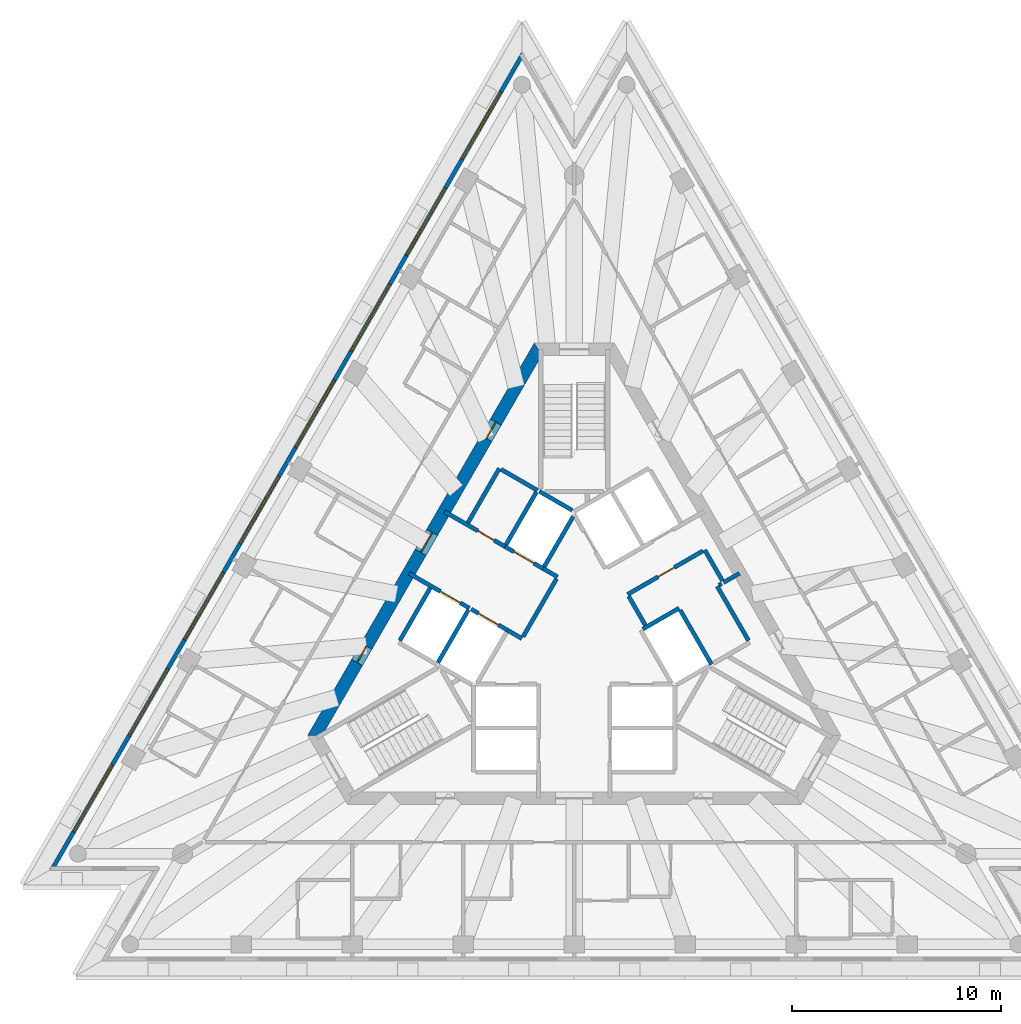
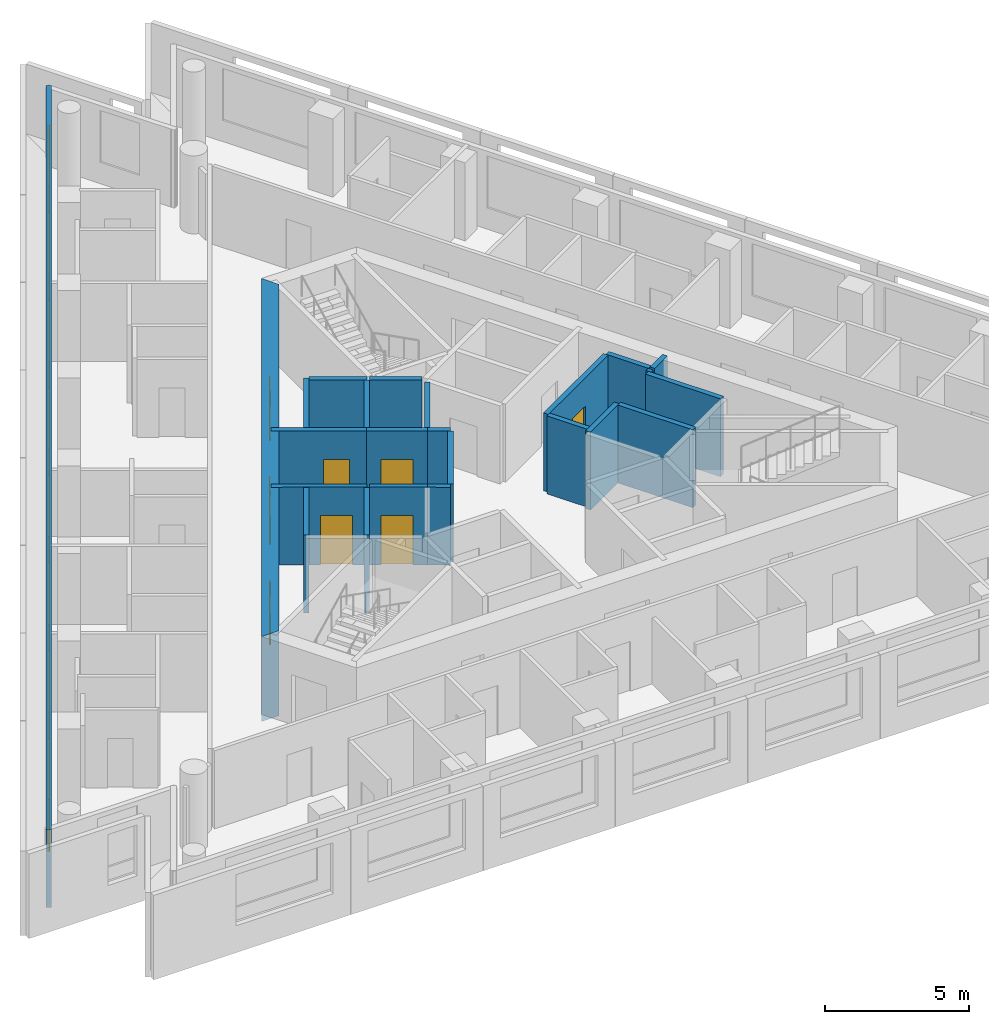
# One storey, part 5 of 11: 24 walls, 8 doors, 8 windows, 16 openings.
"""IFC4 building model written with IfcOpenShell, lengths in metres."""

from ifc_helpers import new_model, si_unit, direction, frame, frame_2d, origin, place, context, subcontext, project, spatial, polyline, rectangle, outline, extrude, material, layer, layer_set, layer_usage, type_object, element, fill, save


model = new_model("IFC4")

# Units and contexts
model_context = context("Model", 3, precision=1e-05, world=origin(), true_north=direction((0.0, 1.0)))
body_context = subcontext(model_context, "Body", "Model", "MODEL_VIEW")
ifc_project = project(units=[si_unit("LENGTHUNIT", "METRE"), si_unit("AREAUNIT", "SQUARE_METRE"), si_unit("VOLUMEUNIT", "CUBIC_METRE"), si_unit("PLANEANGLEUNIT", "RADIAN"), si_unit("MASSUNIT", "GRAM", prefix="KILO")], contexts=[model_context])

# Site, building, storey
site_placement = place(None, origin())
site = spatial("IfcSite", under=ifc_project, at=site_placement, CompositionType="ELEMENT")
building_placement = place(site_placement, origin())
building = spatial("IfcBuilding", under=site, at=building_placement, Name="Triada Interchange Tower", CompositionType="ELEMENT")
storey_placement = place(building_placement, frame((0.0, 0.0, 300.699951171875)))
storey = spatial("IfcBuildingStorey", under=building, at=storey_placement, Name="L71", CompositionType="ELEMENT", Elevation=300.699951171875)

# Walls
ifc_material_1 = material(Name="Concrete C30/37", Category="concrete")
ifc_layer_1 = layer(ifc_material_1, 0.199951171875)
ifc_layer_set_1 = layer_set([ifc_layer_1], Name="CORE WALL 200 EI 120")
wall_type_1 = type_object("IfcWallType", Name="CORE WALL 200 EI 120", PredefinedType="SOLIDWALL", material=ifc_layer_set_1)
wall_1_placement = place(storey_placement, frame((-8.325927734375, -0.6201171875, 0.0), z_axis=(0.0, 0.0, 1.0), x_axis=(0.500023687443, 0.866011727401, 0.0)))
element("IfcWall", 1, at=wall_1_placement, inside=storey, type_object=wall_type_1, Name="Wall L71 70", PredefinedType="SOLIDWALL", context=body_context, shape_type="SweptSolid", body=[
    extrude(rectangle(XDim=2.899658203125, YDim=0.199951171875, at=frame_2d((1.44970703125, 0.0))), origin(), (0.0, 0.0, 1.0), 3.300048828125),
])
wall_2_placement = place(storey_placement, frame((3.278076171875, -0.071044921875, 0.0), z_axis=(0.0, 0.0, 1.0), x_axis=(0.865855657918, 0.500293893279, 0.0)))
element("IfcWall", 2, at=wall_2_placement, inside=storey, type_object=wall_type_1, Name="Wall L71 85", PredefinedType="SOLIDWALL", context=body_context, shape_type="SweptSolid", body=[
    extrude(rectangle(XDim=1.996826171875, YDim=0.199951171875, at=frame_2d((0.99853515625, 0.0))), origin(), (0.0, 0.0, 1.0), 3.300048828125),
])
wall_3_placement = place(storey_placement, frame((7.12890625, 2.153076171875, 0.0), z_axis=(0.0, 0.0, 1.0), x_axis=(0.866083962871, 0.499898558967, 0.0)))
element("IfcWall", 3, at=wall_3_placement, inside=storey, type_object=wall_type_1, Name="Wall L71 86", PredefinedType="SOLIDWALL", context=body_context, shape_type="SweptSolid", body=[
    extrude(rectangle(XDim=0.880126953125, YDim=0.199951171875, at=frame_2d((0.43994140625, 0.0))), origin(), (0.0, 0.0, 1.0), 3.300048828125),
])
wall_4_placement = place(storey_placement, frame((5.056884765625, 0.841064453125, 0.0), z_axis=(0.0, 0.0, 1.0), x_axis=(0.499990139034, -0.866031096941, 0.0)))
element("IfcWall", 4, at=wall_4_placement, inside=storey, type_object=wall_type_1, Name="Wall L71 89", PredefinedType="SOLIDWALL", context=body_context, shape_type="SweptSolid", body=[
    extrude(rectangle(XDim=3.0, YDim=0.199951171875, at=frame_2d((1.5, 0.0))), origin(), (0.0, 0.0, 1.0), 3.300048828125),
])
wall_5_placement = place(storey_placement, frame((6.22900390625, 3.7119140625, 0.0), z_axis=(0.0, 0.0, 1.0), x_axis=(0.499875724984, -0.86609714211, 0.0)))
element("IfcWall", 5, at=wall_5_placement, inside=storey, type_object=wall_type_1, Name="Wall L71 91", PredefinedType="SOLIDWALL", context=body_context, shape_type="SweptSolid", body=[
    extrude(rectangle(XDim=1.70068359375, YDim=0.199951171875, at=frame_2d((0.850341796875, 0.0))), origin(), (0.0, 0.0, 1.0), 3.300048828125),
])

# Wall, opening, door
wall_6_placement = place(storey_placement, frame((2.548095703125, 1.5869140625, 0.0), z_axis=(0.0, 0.0, 1.0), x_axis=(0.866004344652, 0.500036473714, 0.0)))
wall_6 = element("IfcWall", 6, at=wall_6_placement, inside=storey, type_object=wall_type_1, Name="Wall L71 92", PredefinedType="SOLIDWALL", context=body_context, shape_type="SweptSolid", body=[
    extrude(rectangle(XDim=4.150146484375, YDim=0.199951171875, at=frame_2d((2.0751953125, 0.0))), origin(), (0.0, 0.0, 1.0), 3.300048828125),
])
opening_1_placement = place(wall_6_placement, frame((1.675048828125, 0.0, 0.0)))
opening_1 = element("IfcOpeningElement", 7, at=opening_1_placement, cuts=wall_6, Name="Opening D71-60", PredefinedType="OPENING", context=body_context, shape_type="SweptSolid", body=[
    extrude(rectangle(XDim=0.89990234375, YDim=2.10009765625, at=frame_2d((0.449951171875, 1.050048828125))), frame((0.0, 0.10986328125, 0.0), z_axis=(0.0, -1.0, 0.0), x_axis=(1.0, 0.0, 0.0)), (0.0, 0.0, 1.0), 0.219970703125),
])
ifc_material_2 = material(Name="Steel S235 door leaf", Category="steel")
door_type_1 = type_object("IfcDoorType", Name="SERVICE DOOR 900 EI2 45-C5S200", OperationType="NOTDEFINED", PredefinedType="DOOR", material=ifc_material_2)
door_1_placement = place(opening_1_placement, origin())
door_1 = element("IfcDoor", 8, at=door_1_placement, inside=storey, type_object=door_type_1, Name="Door D71-60 L71", OperationType="SINGLE_SWING_RIGHT", OverallHeight=2.10009765625, OverallWidth=0.89990234375, PredefinedType="DOOR", context=body_context, shape_type="SweptSolid", body=[
    extrude(rectangle(XDim=0.89990234375, YDim=2.10009765625, at=frame_2d((0.449951171875, 1.050048828125))), frame((0.0, 0.02490234375, 0.0), z_axis=(0.0, -1.0, 0.0), x_axis=(1.0, 0.0, 0.0)), (0.0, 0.0, 1.0), 0.050048828125),
])
fill(opening_1, door_1)

# Wall
wall_7_placement = place(storey_placement, frame((2.597900390625, 1.5, 0.0), z_axis=(0.0, 0.0, 1.0), x_axis=(0.499929347863, -0.866066190972, 0.0)))
element("IfcWall", 9, at=wall_7_placement, inside=storey, type_object=wall_type_1, Name="Wall L71 93", PredefinedType="SOLIDWALL", context=body_context, shape_type="SweptSolid", body=[
    extrude(rectangle(XDim=1.600341796875, YDim=0.199951171875, at=frame_2d((0.80029296875, 0.0))), origin(), (0.0, 0.0, 1.0), 3.300048828125),
])

# Wall, opening, door
ifc_layer_2 = layer(ifc_material_1, 0.199951171875)
ifc_layer_set_2 = layer_set([ifc_layer_2], Name="CORE WALL 200 EI 180")
wall_type_2 = type_object("IfcWallType", Name="CORE WALL 200 EI 180", PredefinedType="SOLIDWALL", material=ifc_layer_set_2)
wall_8_placement = place(storey_placement, frame((-7.89111328125, 2.593017578125, 0.0), z_axis=(0.0, 0.0, 1.0), x_axis=(0.866070917804, -0.499921159118, 0.0)))
wall_8 = element("IfcWall", 10, at=wall_8_placement, inside=storey, type_object=wall_type_2, Name="Wall L71 94", PredefinedType="SOLIDWALL", context=body_context, shape_type="SweptSolid", body=[
    extrude(rectangle(XDim=3.33251953125, YDim=0.199951171875, at=frame_2d((1.666259765625, 0.0))), origin(), (0.0, 0.0, 1.0), 3.300048828125),
])
opening_2_placement = place(wall_8_placement, frame((1.72998046875, 0.0, 0.0)))
opening_2 = element("IfcOpeningElement", 11, at=opening_2_placement, cuts=wall_8, Name="Opening LD-SV1", PredefinedType="OPENING", context=body_context, shape_type="SweptSolid", body=[
    extrude(rectangle(XDim=1.10009765625, YDim=2.10009765625, at=frame_2d((0.550048828125, 1.050048828125))), frame((0.0, 0.10986328125, 0.0), z_axis=(0.0, -1.0, 0.0), x_axis=(1.0, 0.0, 0.0)), (0.0, 0.0, 1.0), 0.219970703125),
])
door_type_2 = type_object("IfcDoorType", Name="LIFT LANDING DOOR 1100 EI 120", OperationType="SLIDING_TO_LEFT", PredefinedType="DOOR", material=ifc_material_2)
door_2_placement = place(opening_2_placement, origin())
door_2 = element("IfcDoor", 12, at=door_2_placement, inside=storey, type_object=door_type_2, Name="SV1 landing door L71", OperationType="SLIDING_TO_LEFT", OverallHeight=2.10009765625, OverallWidth=1.10009765625, PredefinedType="DOOR", context=body_context, shape_type="SweptSolid", body=[
    extrude(rectangle(XDim=1.10009765625, YDim=2.10009765625, at=frame_2d((0.550048828125, 1.050048828125))), frame((0.0, 0.02490234375, 0.0), z_axis=(0.0, -1.0, 0.0), x_axis=(1.0, 0.0, 0.0)), (0.0, 0.0, 1.0), 0.050048828125),
])
fill(opening_2, door_2)

# Wall
wall_9_placement = place(storey_placement, frame((-3.18798828125, -0.1220703125, 0.0), z_axis=(0.0, 0.0, 1.0), x_axis=(0.865705793592, -0.50055317294, 0.0)))
element("IfcWall", 13, at=wall_9_placement, inside=storey, type_object=wall_type_2, Name="Wall L71 95", PredefinedType="SOLIDWALL", context=body_context, shape_type="SweptSolid", body=[
    extrude(rectangle(XDim=0.796875, YDim=0.199951171875, at=frame_2d((0.3984375, 0.0))), origin(), (0.0, 0.0, 1.0), 3.300048828125),
])

# Wall, opening, door
wall_10_placement = place(storey_placement, frame((-6.19091796875, 5.537109375, 0.0), z_axis=(0.0, 0.0, 1.0), x_axis=(0.866052607023, -0.499952879648, 0.0)))
wall_10 = element("IfcWall", 14, at=wall_10_placement, inside=storey, type_object=wall_type_2, Name="Wall L71 96", PredefinedType="SOLIDWALL", context=body_context, shape_type="SweptSolid", body=[
    extrude(rectangle(XDim=3.332275390625, YDim=0.199951171875, at=frame_2d((1.666015625, 0.0))), origin(), (0.0, 0.0, 1.0), 3.300048828125),
])
opening_3_placement = place(wall_10_placement, frame((1.830078125, 0.0, 0.0)))
opening_3 = element("IfcOpeningElement", 15, at=opening_3_placement, cuts=wall_10, Name="Opening D71-10", PredefinedType="OPENING", context=body_context, shape_type="SweptSolid", body=[
    extrude(rectangle(XDim=0.89990234375, YDim=2.10009765625, at=frame_2d((0.449951171875, 1.050048828125))), frame((0.0, 0.10986328125, 0.0), z_axis=(0.0, -1.0, 0.0), x_axis=(1.0, 0.0, 0.0)), (0.0, 0.0, 1.0), 0.219970703125),
])
door_type_3 = type_object("IfcDoorType", Name="SERVICE DOOR 900 EI2 90-C5S200", OperationType="NOTDEFINED", PredefinedType="DOOR", material=ifc_material_2)
door_3_placement = place(opening_3_placement, origin())
door_3 = element("IfcDoor", 16, at=door_3_placement, inside=storey, type_object=door_type_3, Name="Door D71-10 L71", OperationType="SINGLE_SWING_LEFT", OverallHeight=2.10009765625, OverallWidth=0.89990234375, PredefinedType="DOOR", context=body_context, shape_type="SweptSolid", body=[
    extrude(rectangle(XDim=0.89990234375, YDim=2.10009765625, at=frame_2d((0.449951171875, 1.050048828125))), frame((0.0, 0.02490234375, 0.0), z_axis=(0.0, -1.0, 0.0), x_axis=(1.0, 0.0, 0.0)), (0.0, 0.0, 1.0), 0.050048828125),
])
fill(opening_3, door_3)

# Walls
wall_11_placement = place(storey_placement, frame((-1.488037109375, 2.822021484375, 0.0), z_axis=(0.0, 0.0, 1.0), x_axis=(0.866236612152, -0.499633997809, 0.0)))
element("IfcWall", 17, at=wall_11_placement, inside=storey, type_object=wall_type_2, Name="Wall L71 97", PredefinedType="SOLIDWALL", context=body_context, shape_type="SweptSolid", body=[
    extrude(rectangle(XDim=0.79638671875, YDim=0.199951171875, at=frame_2d((0.398193359375, 0.0))), origin(), (0.0, 0.0, 1.0), 3.300048828125),
])
wall_12_placement = place(storey_placement, frame((-5.075927734375, 5.009033203125, 0.0), z_axis=(0.0, 0.0, 1.0), x_axis=(0.50002537861, 0.866010750942, 0.0)))
element("IfcWall", 18, at=wall_12_placement, inside=storey, type_object=wall_type_2, Name="Wall L71 98", PredefinedType="SOLIDWALL", context=body_context, shape_type="SweptSolid", body=[
    extrude(rectangle(XDim=2.999755859375, YDim=0.199951171875, at=frame_2d((1.5, 0.0))), origin(), (0.0, 0.0, 1.0), 3.300048828125),
])
wall_13_placement = place(storey_placement, frame((-3.489013671875, 7.556884765625, 0.0), z_axis=(0.0, 0.0, 1.0), x_axis=(0.866010750942, -0.50002537861, 0.0)))
element("IfcWall", 19, at=wall_13_placement, inside=storey, type_object=wall_type_2, Name="Wall L71 99", PredefinedType="SOLIDWALL", context=body_context, shape_type="SweptSolid", body=[
    extrude(rectangle(XDim=2.0, YDim=0.199951171875, at=frame_2d((1.0, 0.0))), origin(), (0.0, 0.0, 1.0), 3.300048828125),
])
wall_14_placement = place(storey_placement, frame((-2.444091796875, -0.43310546875, 0.0), z_axis=(0.0, 0.0, 1.0), x_axis=(0.500035624827, 0.866004834804, 0.0)))
element("IfcWall", 20, at=wall_14_placement, inside=storey, type_object=wall_type_2, Name="Wall L71 100", PredefinedType="SOLIDWALL", context=body_context, shape_type="SweptSolid", body=[
    extrude(rectangle(XDim=3.194091796875, YDim=0.199951171875, at=frame_2d((1.59716796875, 0.0))), origin(), (0.0, 0.0, 1.0), 3.300048828125),
])
wall_15_placement = place(storey_placement, frame((-6.507080078125, -1.669921875, 0.0), z_axis=(0.0, 0.0, 1.0), x_axis=(0.50012328804, 0.865954211699, 0.0)))
element("IfcWall", 21, at=wall_15_placement, inside=storey, type_object=wall_type_2, Name="Shaft wall FF1 L71 101", PredefinedType="SOLIDWALL", context=body_context, shape_type="SweptSolid", body=[
    extrude(rectangle(XDim=2.899658203125, YDim=0.199951171875, at=frame_2d((1.44970703125, 0.0))), origin(), (0.0, 0.0, 1.0), 3.300048828125),
])

# Wall, opening, door
wall_16_placement = place(storey_placement, frame((-4.922119140625, 0.87890625, 0.0), z_axis=(0.0, 0.0, 1.0), x_axis=(0.866073918653, -0.499915960366, 0.0)))
wall_16 = element("IfcWall", 22, at=wall_16_placement, inside=storey, type_object=wall_type_2, Name="Shaft wall FF1 L71 103", PredefinedType="SOLIDWALL", context=body_context, shape_type="SweptSolid", body=[
    extrude(rectangle(XDim=2.002197265625, YDim=0.199951171875, at=frame_2d((1.0009765625, 0.0))), origin(), (0.0, 0.0, 1.0), 3.300048828125),
])
opening_4_placement = place(wall_16_placement, frame((0.402099609375, 0.0, 0.0)))
opening_4 = element("IfcOpeningElement", 23, at=opening_4_placement, cuts=wall_16, Name="Opening LD-FF1", PredefinedType="OPENING", context=body_context, shape_type="SweptSolid", body=[
    extrude(rectangle(XDim=1.10009765625, YDim=2.10009765625, at=frame_2d((0.550048828125, 1.050048828125))), frame((0.0, 0.10986328125, 0.0), z_axis=(0.0, -1.0, 0.0), x_axis=(1.0, 0.0, 0.0)), (0.0, 0.0, 1.0), 0.219970703125),
])
door_4_placement = place(opening_4_placement, origin())
door_4 = element("IfcDoor", 24, at=door_4_placement, inside=storey, type_object=door_type_2, Name="FF1 landing door L71", OperationType="SLIDING_TO_LEFT", OverallHeight=2.10009765625, OverallWidth=1.10009765625, PredefinedType="DOOR", context=body_context, shape_type="SweptSolid", body=[
    extrude(rectangle(XDim=1.10009765625, YDim=2.10009765625, at=frame_2d((0.550048828125, 1.050048828125))), frame((0.0, 0.02490234375, 0.0), z_axis=(0.0, -1.0, 0.0), x_axis=(1.0, 0.0, 0.0)), (0.0, 0.0, 1.0), 0.050048828125),
])
fill(opening_4, door_4)

wall_17_placement = place(storey_placement, frame((-3.30908203125, 3.873046875, 0.0), z_axis=(0.0, 0.0, 1.0), x_axis=(0.866098583652, -0.499873227325, 0.0)))
wall_17 = element("IfcWall", 25, at=wall_17_placement, inside=storey, type_object=wall_type_2, Name="Shaft wall FF2 L71 105", PredefinedType="SOLIDWALL", context=body_context, shape_type="SweptSolid", body=[
    extrude(rectangle(XDim=2.1025390625, YDim=0.199951171875, at=frame_2d((1.05126953125, 0.0))), origin(), (0.0, 0.0, 1.0), 3.300048828125),
])
opening_5_placement = place(wall_17_placement, frame((0.501953125, 0.0, 0.0)))
opening_5 = element("IfcOpeningElement", 26, at=opening_5_placement, cuts=wall_17, Name="Opening LD-FF2", PredefinedType="OPENING", context=body_context, shape_type="SweptSolid", body=[
    extrude(rectangle(XDim=1.10009765625, YDim=2.10009765625, at=frame_2d((0.550048828125, 1.050048828125))), frame((0.0, 0.10986328125, 0.0), z_axis=(0.0, -1.0, 0.0), x_axis=(1.0, 0.0, 0.0)), (0.0, 0.0, 1.0), 0.219970703125),
])
door_5_placement = place(opening_5_placement, origin())
door_5 = element("IfcDoor", 27, at=door_5_placement, inside=storey, type_object=door_type_2, Name="FF2 landing door L71", OperationType="SLIDING_TO_LEFT", OverallHeight=2.10009765625, OverallWidth=1.10009765625, PredefinedType="DOOR", context=body_context, shape_type="SweptSolid", body=[
    extrude(rectangle(XDim=1.10009765625, YDim=2.10009765625, at=frame_2d((0.550048828125, 1.050048828125))), frame((0.0, 0.02490234375, 0.0), z_axis=(0.0, -1.0, 0.0), x_axis=(1.0, 0.0, 0.0)), (0.0, 0.0, 1.0), 0.050048828125),
])
fill(opening_5, door_5)

# Walls
wall_18_placement = place(storey_placement, frame((-3.257080078125, 3.958984375, 0.0), z_axis=(0.0, 0.0, 1.0), x_axis=(0.50012328804, 0.865954211699, 0.0)))
element("IfcWall", 28, at=wall_18_placement, inside=storey, type_object=wall_type_2, Name="Shaft wall FF2 L71 106", PredefinedType="SOLIDWALL", context=body_context, shape_type="SweptSolid", body=[
    extrude(rectangle(XDim=2.899658203125, YDim=0.199951171875, at=frame_2d((1.44970703125, 0.0))), origin(), (0.0, 0.0, 1.0), 3.300048828125),
])
wall_19_placement = place(storey_placement, frame((-1.669921875, 6.507080078125, 0.0), z_axis=(0.0, 0.0, 1.0), x_axis=(0.865941441609, -0.500145398563, 0.0)))
element("IfcWall", 29, at=wall_19_placement, inside=storey, type_object=wall_type_2, Name="Shaft wall FF2 L71 107", PredefinedType="SOLIDWALL", context=body_context, shape_type="SweptSolid", body=[
    extrude(rectangle(XDim=1.8154296875, YDim=0.199951171875, at=frame_2d((0.90771484375, 0.0))), origin(), (0.0, 0.0, 1.0), 3.300048828125),
])
wall_20_placement = place(storey_placement, frame((-1.43798828125, 2.908935546875, 0.0), z_axis=(0.0, 0.0, 1.0), x_axis=(0.499829630636, 0.866123744241, 0.0)))
element("IfcWall", 30, at=wall_20_placement, inside=storey, type_object=wall_type_2, Name="Shaft wall FF2 L71 108", PredefinedType="SOLIDWALL", context=body_context, shape_type="SweptSolid", body=[
    extrude(rectangle(XDim=2.7607421875, YDim=0.199951171875, at=frame_2d((1.38037109375, 0.0))), origin(), (0.0, 0.0, 1.0), 3.300048828125),
])
ifc_layer_3 = layer(ifc_material_1, 0.199951171875)
ifc_layer_set_3 = layer_set([ifc_layer_3], Name="CORE WALL 200 EI 90")
wall_type_3 = type_object("IfcWallType", Name="CORE WALL 200 EI 90", PredefinedType="SOLIDWALL", material=ifc_layer_set_3)
wall_21_placement = place(storey_placement, frame((6.825927734375, 1.97802734375, 0.0), z_axis=(0.0, 0.0, 1.0), x_axis=(0.499990139034, -0.866031096941, 0.0)))
element("IfcWall", 31, at=wall_21_placement, inside=storey, type_object=wall_type_3, Name="Wall L71 112", PredefinedType="SOLIDWALL", context=body_context, shape_type="SweptSolid", body=[
    extrude(rectangle(XDim=3.0, YDim=0.199951171875, at=frame_2d((1.5, 0.0))), origin(), (0.0, 0.0, 1.0), 3.300048828125),
])
wall_22_placement = place(storey_placement, frame((6.912109375, 2.028076171875, 0.0), z_axis=(0.0, 0.0, 1.0), x_axis=(0.866559367082, 0.499074005857, 0.0)))
element("IfcWall", 32, at=wall_22_placement, inside=storey, type_object=wall_type_3, Name="Wall L71 113", PredefinedType="SOLIDWALL", context=body_context, shape_type="SweptSolid", body=[
    extrude(rectangle(XDim=0.152099609375, YDim=0.199951171875, at=frame_2d((0.076171875, 0.0))), origin(), (0.0, 0.0, 1.0), 3.300048828125),
])

# Wall, openings, doors
ifc_material_3 = material(Name="Concrete C40/50", Category="concrete")
ifc_layer_4 = layer(ifc_material_3, 0.60009765625)
ifc_layer_set_4 = layer_set([ifc_layer_4], Name="Core wall D 600")
wall_type_4 = type_object("IfcWallType", Name="Core wall D 600", PredefinedType="SHEAR", material=ifc_layer_set_4)
wall_23_placement = place(storey_placement, frame((-1.73193359375, 13.300048828125, -0.300048828125), z_axis=(0.0, 0.0, 1.0), x_axis=(-0.500000539815, -0.866025092122, 0.0)))
wall_23 = element("IfcWall", 33, at=wall_23_placement, inside=storey, type_object=wall_type_4, Name="Core wall WD02 L71", PredefinedType="SHEAR", context=body_context, shape_type="SweptSolid", body=[
    extrude(outline(polyline([(-0.173095703125, -0.300048828125), (1.795166015625, -0.300048828125), (3.763427734375, -0.30029296875), (5.731689453125, -0.30029296875), (7.699951171875, -0.30029296875), (9.668212890625, -0.300537109375), (11.63671875, -0.300537109375), (13.60498046875, -0.30078125), (15.5732421875, -0.30078125), (17.54150390625, -0.30078125), (19.509765625, -0.301025390625), (21.47802734375, -0.301025390625), (21.131103515625, 0.300048828125), (19.225830078125, 0.300048828125), (17.320556640625, 0.300048828125), (15.415283203125, 0.300048828125), (13.510009765625, 0.300048828125), (11.604736328125, 0.300048828125), (9.699462890625, 0.300048828125), (7.794189453125, 0.300048828125), (5.888916015625, 0.300048828125), (3.983642578125, 0.300048828125), (2.078369140625, 0.300048828125), (0.173095703125, 0.300048828125), (-0.173095703125, -0.300048828125)])), origin(), (0.0, 0.0, 1.0), 3.60009765625),
])
opening_6_placement = place(wall_23_placement, frame((10.10205078125, 0.0, 0.300048828125)))
opening_6 = element("IfcOpeningElement", 34, at=opening_6_placement, cuts=wall_23, Name="Opening D71-53", PredefinedType="OPENING", context=body_context, shape_type="SweptSolid", body=[
    extrude(rectangle(XDim=1.10009765625, YDim=2.10009765625, at=frame_2d((0.550048828125, 1.050048828125))), frame((0.0, 0.31005859375, 0.0), z_axis=(0.0, -1.0, 0.0), x_axis=(1.0, 0.0, 0.0)), (0.0, 0.0, 1.0), 0.62109375),
])
opening_7_placement = place(wall_23_placement, frame((16.3779296875, 0.0, 0.300048828125)))
opening_7 = element("IfcOpeningElement", 35, at=opening_7_placement, cuts=wall_23, Name="Opening D71-54", PredefinedType="OPENING", context=body_context, shape_type="SweptSolid", body=[
    extrude(rectangle(XDim=0.89990234375, YDim=2.10009765625, at=frame_2d((0.449951171875, 1.050048828125))), frame((0.0, 0.31005859375, 0.0), z_axis=(0.0, -1.0, 0.0), x_axis=(1.0, 0.0, 0.0)), (0.0, 0.0, 1.0), 0.62109375),
])
opening_8_placement = place(wall_23_placement, frame((4.02587890625, 0.0, 0.300048828125)))
opening_8 = element("IfcOpeningElement", 36, at=opening_8_placement, cuts=wall_23, Name="Opening D71-56", PredefinedType="OPENING", context=body_context, shape_type="SweptSolid", body=[
    extrude(rectangle(XDim=0.89990234375, YDim=2.10009765625, at=frame_2d((0.449951171875, 1.050048828125))), frame((0.0, 0.31005859375, 0.0), z_axis=(0.0, -1.0, 0.0), x_axis=(1.0, 0.0, 0.0)), (0.0, 0.0, 1.0), 0.62109375),
])
door_type_4 = type_object("IfcDoorType", Name="FIRE LOBBY DOOR 1100 EI2 90-C5S200", OperationType="NOTDEFINED", PredefinedType="DOOR", material=ifc_material_2)
door_6_placement = place(opening_6_placement, origin())
door_6 = element("IfcDoor", 37, at=door_6_placement, inside=storey, type_object=door_type_4, Name="Door D71-53 L71", OperationType="SINGLE_SWING_RIGHT", OverallHeight=2.10009765625, OverallWidth=1.10009765625, PredefinedType="DOOR", context=body_context, shape_type="SweptSolid", body=[
    extrude(rectangle(XDim=1.10009765625, YDim=2.10009765625, at=frame_2d((0.550048828125, 1.050048828125))), frame((0.0, 0.02490234375, 0.0), z_axis=(0.0, -1.0, 0.0), x_axis=(1.0, 0.0, 0.0)), (0.0, 0.0, 1.0), 0.050048828125),
])
fill(opening_6, door_6)
door_type_5 = type_object("IfcDoorType", Name="RISER ACCESS DOOR 900 EI2 45-C5S200", OperationType="NOTDEFINED", PredefinedType="DOOR", material=ifc_material_2)
door_7_placement = place(opening_7_placement, origin())
door_7 = element("IfcDoor", 38, at=door_7_placement, inside=storey, type_object=door_type_5, Name="Door D71-54 L71", OperationType="SINGLE_SWING_RIGHT", OverallHeight=2.10009765625, OverallWidth=0.89990234375, PredefinedType="DOOR", context=body_context, shape_type="SweptSolid", body=[
    extrude(rectangle(XDim=0.89990234375, YDim=2.10009765625, at=frame_2d((0.449951171875, 1.050048828125))), frame((0.0, 0.02490234375, 0.0), z_axis=(0.0, -1.0, 0.0), x_axis=(1.0, 0.0, 0.0)), (0.0, 0.0, 1.0), 0.050048828125),
])
fill(opening_7, door_7)
door_8_placement = place(opening_8_placement, origin())
door_8 = element("IfcDoor", 39, at=door_8_placement, inside=storey, type_object=door_type_1, Name="Door D71-56 L71", OperationType="SINGLE_SWING_LEFT", OverallHeight=2.10009765625, OverallWidth=0.89990234375, PredefinedType="DOOR", context=body_context, shape_type="SweptSolid", body=[
    extrude(rectangle(XDim=0.89990234375, YDim=2.10009765625, at=frame_2d((0.449951171875, 1.050048828125))), frame((0.0, 0.02490234375, 0.0), z_axis=(0.0, -1.0, 0.0), x_axis=(1.0, 0.0, 0.0)), (0.0, 0.0, 1.0), 0.050048828125),
])
fill(opening_8, door_8)

# Wall, openings, windows
ifc_material_4 = material(Name="Cement board")
ifc_layer_5 = layer(ifc_material_4, 0.02001953125, Name="Cement board cladding")
ifc_material_5 = material(Name="Sheathing board")
ifc_layer_6 = layer(ifc_material_5, 0.014892578125, Name="Sheathing board")
ifc_material_6 = material(Name="Mineral wool")
ifc_layer_7 = layer(ifc_material_6, 0.14990234375, Name="Mineral wool between steel studs")
ifc_material_7 = material(Name="Gypsum board")
ifc_layer_8 = layer(ifc_material_7, 0.014892578125, Name="Plasterboard lining")
ifc_layer_set_5 = layer_set([ifc_layer_5, ifc_layer_6, ifc_layer_7, ifc_layer_8], Name="External wall 200")
ifc_layer_usage = layer_usage(ifc_layer_set_5, "AXIS2", "POSITIVE", -0.10009765625)
wall_type_5 = type_object("IfcWallType", Name="External wall 200", PredefinedType="ELEMENTEDWALL", material=ifc_layer_set_5)
wall_24_placement = place(storey_placement, frame((-2.452880859375, 27.405029296875, 0.0), z_axis=(0.0, 0.0, 1.0), x_axis=(-0.500000041859, -0.866025379617, 0.0)))
wall_24 = element("IfcWall", 40, at=wall_24_placement, inside=storey, type_object=wall_type_5, material=ifc_layer_usage, Name="External wall L71 NW", PredefinedType="ELEMENTEDWALL", context=body_context, shape_type="SweptSolid", body=[
    extrude(rectangle(XDim=44.994140625, YDim=0.199951171875, at=frame_2d((22.4970703125, 0.0))), origin(), (0.0, 0.0, 1.0), 3.300048828125),
])
opening_9_placement = place(wall_24_placement, frame((2.10302734375, 0.0, 0.89990234375)))
opening_9 = element("IfcOpeningElement", 41, at=opening_9_placement, cuts=wall_24, Name="Opening WD01", PredefinedType="OPENING", context=body_context, shape_type="SweptSolid", body=[
    extrude(rectangle(XDim=3.699951171875, YDim=2.199951171875, at=frame_2d((1.85009765625, 1.10009765625))), frame((0.0, 0.10986328125, 0.0), z_axis=(0.0, -1.0, 0.0), x_axis=(1.0, 0.0, 0.0)), (0.0, 0.0, 1.0), 0.219970703125),
])
opening_10_placement = place(wall_24_placement, frame((7.404052734375, 0.0, 0.89990234375)))
opening_10 = element("IfcOpeningElement", 42, at=opening_10_placement, cuts=wall_24, Name="Opening WD02", PredefinedType="OPENING", context=body_context, shape_type="SweptSolid", body=[
    extrude(rectangle(XDim=3.699951171875, YDim=2.199951171875, at=frame_2d((1.85009765625, 1.10009765625))), frame((0.0, 0.10986328125, 0.0), z_axis=(0.0, -1.0, 0.0), x_axis=(1.0, 0.0, 0.0)), (0.0, 0.0, 1.0), 0.219970703125),
])
opening_11_placement = place(wall_24_placement, frame((12.705078125, 0.0, 0.89990234375)))
opening_11 = element("IfcOpeningElement", 43, at=opening_11_placement, cuts=wall_24, Name="Opening WD03", PredefinedType="OPENING", context=body_context, shape_type="SweptSolid", body=[
    extrude(rectangle(XDim=3.699951171875, YDim=2.199951171875, at=frame_2d((1.85009765625, 1.10009765625))), frame((0.0, 0.10986328125, 0.0), z_axis=(0.0, -1.0, 0.0), x_axis=(1.0, 0.0, 0.0)), (0.0, 0.0, 1.0), 0.219970703125),
])
opening_12_placement = place(wall_24_placement, frame((18.006103515625, 0.0, 0.89990234375)))
opening_12 = element("IfcOpeningElement", 44, at=opening_12_placement, cuts=wall_24, Name="Opening WD04", PredefinedType="OPENING", context=body_context, shape_type="SweptSolid", body=[
    extrude(rectangle(XDim=3.699951171875, YDim=2.199951171875, at=frame_2d((1.85009765625, 1.10009765625))), frame((0.0, 0.10986328125, 0.0), z_axis=(0.0, -1.0, 0.0), x_axis=(1.0, 0.0, 0.0)), (0.0, 0.0, 1.0), 0.219970703125),
])
opening_13_placement = place(wall_24_placement, frame((23.306884765625, 0.0, 0.89990234375)))
opening_13 = element("IfcOpeningElement", 45, at=opening_13_placement, cuts=wall_24, Name="Opening WD05", PredefinedType="OPENING", context=body_context, shape_type="SweptSolid", body=[
    extrude(rectangle(XDim=3.699951171875, YDim=2.199951171875, at=frame_2d((1.85009765625, 1.10009765625))), frame((0.0, 0.10986328125, 0.0), z_axis=(0.0, -1.0, 0.0), x_axis=(1.0, 0.0, 0.0)), (0.0, 0.0, 1.0), 0.219970703125),
])
opening_14_placement = place(wall_24_placement, frame((28.60791015625, 0.0, 0.89990234375)))
opening_14 = element("IfcOpeningElement", 46, at=opening_14_placement, cuts=wall_24, Name="Opening WD06", PredefinedType="OPENING", context=body_context, shape_type="SweptSolid", body=[
    extrude(rectangle(XDim=3.699951171875, YDim=2.199951171875, at=frame_2d((1.85009765625, 1.10009765625))), frame((0.0, 0.10986328125, 0.0), z_axis=(0.0, -1.0, 0.0), x_axis=(1.0, 0.0, 0.0)), (0.0, 0.0, 1.0), 0.219970703125),
])
opening_15_placement = place(wall_24_placement, frame((33.908935546875, 0.0, 0.89990234375)))
opening_15 = element("IfcOpeningElement", 47, at=opening_15_placement, cuts=wall_24, Name="Opening WD07", PredefinedType="OPENING", context=body_context, shape_type="SweptSolid", body=[
    extrude(rectangle(XDim=3.699951171875, YDim=2.199951171875, at=frame_2d((1.85009765625, 1.10009765625))), frame((0.0, 0.10986328125, 0.0), z_axis=(0.0, -1.0, 0.0), x_axis=(1.0, 0.0, 0.0)), (0.0, 0.0, 1.0), 0.219970703125),
])
opening_16_placement = place(wall_24_placement, frame((39.2099609375, 0.0, 0.89990234375)))
opening_16 = element("IfcOpeningElement", 48, at=opening_16_placement, cuts=wall_24, Name="Opening WD08", PredefinedType="OPENING", context=body_context, shape_type="SweptSolid", body=[
    extrude(rectangle(XDim=3.699951171875, YDim=2.199951171875, at=frame_2d((1.85009765625, 1.10009765625))), frame((0.0, 0.10986328125, 0.0), z_axis=(0.0, -1.0, 0.0), x_axis=(1.0, 0.0, 0.0)), (0.0, 0.0, 1.0), 0.219970703125),
])
ifc_material_8 = material(Name="Double glazed aluminium window", Category="aluminium")
window_type = type_object("IfcWindowType", Name="Ribbon window D face", PartitioningType="SINGLE_PANEL", PredefinedType="WINDOW", material=ifc_material_8)
window_1_placement = place(opening_9_placement, origin())
window_1 = element("IfcWindow", 49, at=window_1_placement, inside=storey, type_object=window_type, Name="Window L71 NW 1", OverallHeight=2.199951171875, OverallWidth=3.699951171875, PartitioningType="SINGLE_PANEL", PredefinedType="WINDOW", context=body_context, shape_type="SweptSolid", body=[
    extrude(rectangle(XDim=3.699951171875, YDim=2.199951171875, at=frame_2d((1.85009765625, 1.10009765625))), frame((0.0, 0.030029296875, 0.0), z_axis=(0.0, -1.0, 0.0), x_axis=(1.0, 0.0, 0.0)), (0.0, 0.0, 1.0), 0.06005859375),
])
fill(opening_9, window_1)
window_2_placement = place(opening_10_placement, origin())
window_2 = element("IfcWindow", 50, at=window_2_placement, inside=storey, type_object=window_type, Name="Window L71 NW 2", OverallHeight=2.199951171875, OverallWidth=3.699951171875, PartitioningType="SINGLE_PANEL", PredefinedType="WINDOW", context=body_context, shape_type="SweptSolid", body=[
    extrude(rectangle(XDim=3.699951171875, YDim=2.199951171875, at=frame_2d((1.85009765625, 1.10009765625))), frame((0.0, 0.030029296875, 0.0), z_axis=(0.0, -1.0, 0.0), x_axis=(1.0, 0.0, 0.0)), (0.0, 0.0, 1.0), 0.06005859375),
])
fill(opening_10, window_2)
window_3_placement = place(opening_11_placement, origin())
window_3 = element("IfcWindow", 51, at=window_3_placement, inside=storey, type_object=window_type, Name="Window L71 NW 3", OverallHeight=2.199951171875, OverallWidth=3.699951171875, PartitioningType="SINGLE_PANEL", PredefinedType="WINDOW", context=body_context, shape_type="SweptSolid", body=[
    extrude(rectangle(XDim=3.699951171875, YDim=2.199951171875, at=frame_2d((1.85009765625, 1.10009765625))), frame((0.0, 0.030029296875, 0.0), z_axis=(0.0, -1.0, 0.0), x_axis=(1.0, 0.0, 0.0)), (0.0, 0.0, 1.0), 0.06005859375),
])
fill(opening_11, window_3)
window_4_placement = place(opening_12_placement, origin())
window_4 = element("IfcWindow", 52, at=window_4_placement, inside=storey, type_object=window_type, Name="Window L71 NW 4", OverallHeight=2.199951171875, OverallWidth=3.699951171875, PartitioningType="SINGLE_PANEL", PredefinedType="WINDOW", context=body_context, shape_type="SweptSolid", body=[
    extrude(rectangle(XDim=3.699951171875, YDim=2.199951171875, at=frame_2d((1.85009765625, 1.10009765625))), frame((0.0, 0.030029296875, 0.0), z_axis=(0.0, -1.0, 0.0), x_axis=(1.0, 0.0, 0.0)), (0.0, 0.0, 1.0), 0.06005859375),
])
fill(opening_12, window_4)
window_5_placement = place(opening_13_placement, origin())
window_5 = element("IfcWindow", 53, at=window_5_placement, inside=storey, type_object=window_type, Name="Window L71 NW 5", OverallHeight=2.199951171875, OverallWidth=3.699951171875, PartitioningType="SINGLE_PANEL", PredefinedType="WINDOW", context=body_context, shape_type="SweptSolid", body=[
    extrude(rectangle(XDim=3.699951171875, YDim=2.199951171875, at=frame_2d((1.85009765625, 1.10009765625))), frame((0.0, 0.030029296875, 0.0), z_axis=(0.0, -1.0, 0.0), x_axis=(1.0, 0.0, 0.0)), (0.0, 0.0, 1.0), 0.06005859375),
])
fill(opening_13, window_5)
window_6_placement = place(opening_14_placement, origin())
window_6 = element("IfcWindow", 54, at=window_6_placement, inside=storey, type_object=window_type, Name="Window L71 NW 6", OverallHeight=2.199951171875, OverallWidth=3.699951171875, PartitioningType="SINGLE_PANEL", PredefinedType="WINDOW", context=body_context, shape_type="SweptSolid", body=[
    extrude(rectangle(XDim=3.699951171875, YDim=2.199951171875, at=frame_2d((1.85009765625, 1.10009765625))), frame((0.0, 0.030029296875, 0.0), z_axis=(0.0, -1.0, 0.0), x_axis=(1.0, 0.0, 0.0)), (0.0, 0.0, 1.0), 0.06005859375),
])
fill(opening_14, window_6)
window_7_placement = place(opening_15_placement, origin())
window_7 = element("IfcWindow", 55, at=window_7_placement, inside=storey, type_object=window_type, Name="Window L71 NW 7", OverallHeight=2.199951171875, OverallWidth=3.699951171875, PartitioningType="SINGLE_PANEL", PredefinedType="WINDOW", context=body_context, shape_type="SweptSolid", body=[
    extrude(rectangle(XDim=3.699951171875, YDim=2.199951171875, at=frame_2d((1.85009765625, 1.10009765625))), frame((0.0, 0.030029296875, 0.0), z_axis=(0.0, -1.0, 0.0), x_axis=(1.0, 0.0, 0.0)), (0.0, 0.0, 1.0), 0.06005859375),
])
fill(opening_15, window_7)
window_8_placement = place(opening_16_placement, origin())
window_8 = element("IfcWindow", 56, at=window_8_placement, inside=storey, type_object=window_type, Name="Window L71 NW 8", OverallHeight=2.199951171875, OverallWidth=3.699951171875, PartitioningType="SINGLE_PANEL", PredefinedType="WINDOW", context=body_context, shape_type="SweptSolid", body=[
    extrude(rectangle(XDim=3.699951171875, YDim=2.199951171875, at=frame_2d((1.85009765625, 1.10009765625))), frame((0.0, 0.030029296875, 0.0), z_axis=(0.0, -1.0, 0.0), x_axis=(1.0, 0.0, 0.0)), (0.0, 0.0, 1.0), 0.06005859375),
])
fill(opening_16, window_8)

save(model, "model.ifc")
